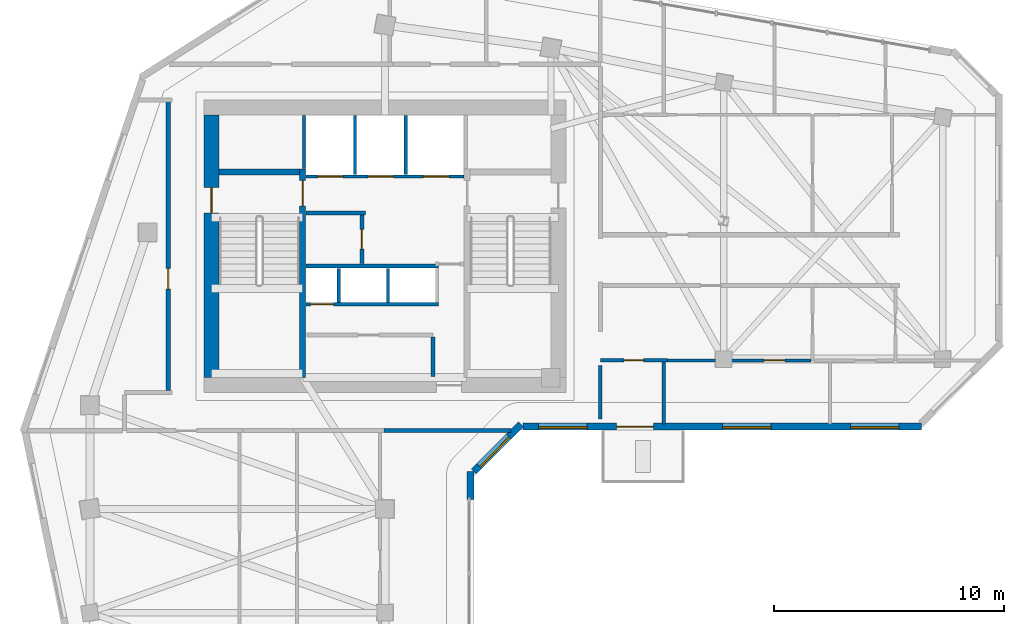
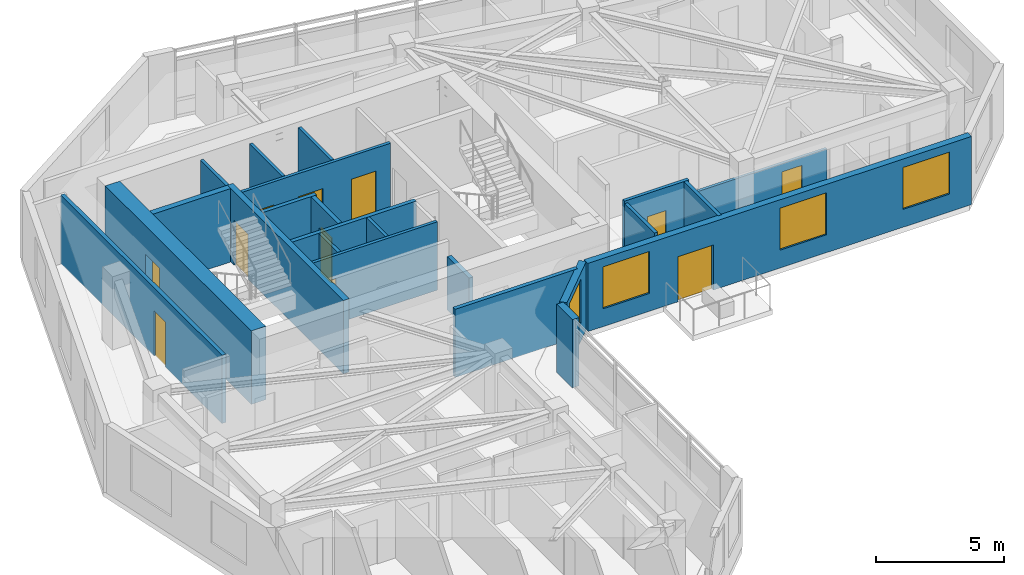
# One storey, part 6 of 11: 23 walls, 11 doors, 4 windows, 15 openings.
"""IFC4 building model written with IfcOpenShell, lengths in metres."""

from ifc_helpers import new_model, si_unit, direction, frame, frame_2d, origin, place, context, subcontext, project, spatial, rectangle, extrude, source, transform, mapped, material, layer, layer_set, type_object, element, fill, save


model = new_model("IFC4")

# Units and contexts
model_context = context("Model", 3, precision=1e-05, world=origin(), true_north=direction((0.0, 1.0)))
body_context = subcontext(model_context, "Body", "Model", "MODEL_VIEW")
ifc_project = project(units=[si_unit("LENGTHUNIT", "METRE"), si_unit("AREAUNIT", "SQUARE_METRE"), si_unit("VOLUMEUNIT", "CUBIC_METRE"), si_unit("PLANEANGLEUNIT", "RADIAN"), si_unit("MASSUNIT", "GRAM", prefix="KILO")], contexts=[model_context])

# Site, building, storey
site_placement = place(None, origin())
site = spatial("IfcSite", under=ifc_project, at=site_placement, CompositionType="ELEMENT")
building_placement = place(site_placement, origin())
building = spatial("IfcBuilding", under=site, at=building_placement, Name="Calvemar Wedge Station Tower", CompositionType="ELEMENT")
storey_placement = place(building_placement, frame((0.0, 0.0, 190.39990234375)))
storey = spatial("IfcBuildingStorey", under=building, at=storey_placement, Name="L47", CompositionType="ELEMENT", Elevation=190.39990234375)

# Wall, opening, door
ifc_material_1 = material(Name="Concrete C50", Category="concrete")
ifc_layer_1 = layer(ifc_material_1, 0.260009765625)
ifc_layer_set_1 = layer_set([ifc_layer_1], Name="Concrete C50")
wall_type_1 = type_object("IfcWallType", Name="SW-CORE-260", PredefinedType="SHEAR", material=ifc_layer_set_1)
wall_1_placement = place(storey_placement, frame((20.22998046875, 34.199951171875, 0.0), z_axis=(0.0, 0.0, 1.0), x_axis=(0.0, 1.0, 0.0)))
wall_1 = element("IfcWall", 1, at=wall_1_placement, inside=storey, type_object=wall_type_1, Name="Storey L47 Core Shear Wall SPINE-W", PredefinedType="SHEAR", context=body_context, shape_type="SweptSolid", body=[
    extrude(rectangle(XDim=9.06005859375, YDim=0.260009765625, at=frame_2d((4.530029296875, 0.0))), origin(), (0.0, 0.0, 1.0), 3.5),
])
shared_shape_1 = source(origin(), body_context, "Body", "SweptSolid", [
    extrude(rectangle(XDim=1.10009765625, YDim=2.14990234375, at=frame_2d((0.550048828125, 1.074951171875))), frame((0.0, 0.14013671875, 0.0), z_axis=(0.0, -1.0, 0.0), x_axis=(1.0, 0.0, 0.0)), (0.0, 0.0, 1.0), 0.280029296875),
])
opening_1_placement = place(wall_1_placement, frame((7.449951171875, 0.0, 0.0)))
opening_1 = element("IfcOpeningElement", 2, at=opening_1_placement, cuts=wall_1, Name="Opening FD-90", PredefinedType="OPENING", context=body_context, shape_type="MappedRepresentation", body=[
    mapped(shared_shape_1, transform((0.0, 0.0, 0.0), scale=1.0)),
])
ifc_material_2 = material(Name="Galvanized fire-rated steel door leaf P-90", Category="steel")
door_type_1 = type_object("IfcDoorType", Name="DR-FD90-1100", OperationType="NOTDEFINED", PredefinedType="DOOR", material=ifc_material_2)
shared_shape_2 = source(origin(), body_context, "Body", "SweptSolid", [
    extrude(rectangle(XDim=1.10009765625, YDim=2.14990234375, at=frame_2d((0.550048828125, 1.074951171875))), frame((0.0, 0.02490234375, 0.0), z_axis=(0.0, -1.0, 0.0), x_axis=(1.0, 0.0, 0.0)), (0.0, 0.0, 1.0), 0.050048828125),
])
door_1_placement = place(opening_1_placement, origin())
door_1 = element("IfcDoor", 3, at=door_1_placement, inside=storey, type_object=door_type_1, Name="L47 FF Lobby to Stair ST-C1 Door", OperationType="SINGLE_SWING_RIGHT", OverallHeight=2.14990234375, OverallWidth=1.10009765625, PredefinedType="DOOR", context=body_context, shape_type="MappedRepresentation", body=[
    mapped(shared_shape_2, transform((0.0, 0.0, 0.0), scale=1.0)),
])
fill(opening_1, door_1)

# Wall
wall_2_placement = place(storey_placement, frame((16.60009765625, 43.1298828125, 0.0), z_axis=(0.0, 0.0, 1.0), x_axis=(1.0, 0.0, 0.0)))
element("IfcWall", 4, at=wall_2_placement, inside=storey, type_object=wall_type_1, Name="Storey L47 Core Shear Wall STC1-N", PredefinedType="SHEAR", context=body_context, shape_type="SweptSolid", body=[
    extrude(rectangle(XDim=3.5, YDim=0.260009765625, at=frame_2d((1.75, 0.0))), origin(), (0.0, 0.0, 1.0), 3.5),
])

# Wall, opening, door
ifc_material_3 = material(Name="Concrete C60", Category="concrete")
ifc_layer_2 = layer(ifc_material_3, 0.64990234375)
ifc_layer_set_2 = layer_set([ifc_layer_2], Name="Concrete C60")
wall_type_2 = type_object("IfcWallType", Name="SW-CORE-650", PredefinedType="SHEAR", material=ifc_layer_set_2)
wall_3_placement = place(storey_placement, frame((16.27490234375, 34.199951171875, 0.0), z_axis=(0.0, 0.0, 1.0), x_axis=(0.0, 1.0, 0.0)))
wall_3 = element("IfcWall", 5, at=wall_3_placement, inside=storey, type_object=wall_type_2, Name="Storey L47 Core Shear Wall W", PredefinedType="SHEAR", context=body_context, shape_type="SweptSolid", body=[
    extrude(rectangle(XDim=11.400146484375, YDim=0.64990234375, at=frame_2d((5.7001953125, 0.0))), origin(), (0.0, 0.0, 1.0), 3.5),
])
shared_shape_3 = source(origin(), body_context, "Body", "SweptSolid", [
    extrude(rectangle(XDim=1.10009765625, YDim=2.14990234375, at=frame_2d((0.550048828125, 1.074951171875))), frame((0.0, 0.3349609375, 0.0), z_axis=(0.0, -1.0, 0.0), x_axis=(1.0, 0.0, 0.0)), (0.0, 0.0, 1.0), 0.669921875),
])
opening_2_placement = place(wall_3_placement, frame((7.14990234375, 0.0, 0.0)))
opening_2 = element("IfcOpeningElement", 6, at=opening_2_placement, cuts=wall_3, Name="Opening FD-90", PredefinedType="OPENING", context=body_context, shape_type="MappedRepresentation", body=[
    mapped(shared_shape_3, transform((0.0, 0.0, 0.0), scale=1.0)),
])
door_2_placement = place(opening_2_placement, origin())
door_2 = element("IfcDoor", 7, at=door_2_placement, inside=storey, type_object=door_type_1, Name="L47 West Corridor to Exit Stair ST-C1 Door", OperationType="SINGLE_SWING_RIGHT", OverallHeight=2.14990234375, OverallWidth=1.10009765625, PredefinedType="DOOR", context=body_context, shape_type="MappedRepresentation", body=[
    mapped(shared_shape_2, transform((0.0, 0.0, 0.0), scale=1.0)),
])
fill(opening_2, door_2)

# Wall
ifc_material_4 = material(Name="Double-stud fire-rated corridor partition")
ifc_layer_3 = layer(ifc_material_4, 0.179931640625)
ifc_layer_set_3 = layer_set([ifc_layer_3], Name="Double-stud fire-rated corridor partition")
wall_type_3 = type_object("IfcWallType", Name="W-CORR-180", PredefinedType="PARTITIONING", material=ifc_layer_set_3)
wall_4_placement = place(storey_placement, frame((22.9599609375, 41.35009765625, 0.0), z_axis=(0.0, 0.0, 1.0), x_axis=(-1.0, 0.0, 0.0)))
element("IfcWall", 8, at=wall_4_placement, inside=storey, type_object=wall_type_3, Name="Storey L47 Interior Partition WL-L47-001", PredefinedType="PARTITIONING", context=body_context, shape_type="SweptSolid", body=[
    extrude(rectangle(XDim=2.580078125, YDim=0.179931640625, at=frame_2d((1.2900390625, 0.0))), origin(), (0.0, 0.0, 1.0), 3.25),
])

# Wall, opening, door
wall_5_placement = place(storey_placement, frame((22.800048828125, 41.256103515625, 0.0), z_axis=(0.0, 0.0, 1.0), x_axis=(0.0, -1.0, 0.0)))
wall_5 = element("IfcWall", 9, at=wall_5_placement, inside=storey, type_object=wall_type_3, Name="Storey L47 Interior Partition WL-L47-002", PredefinedType="PARTITIONING", context=body_context, shape_type="SweptSolid", body=[
    extrude(rectangle(XDim=2.106201171875, YDim=0.179931640625, at=frame_2d((1.05322265625, 0.0))), origin(), (0.0, 0.0, 1.0), 3.25),
])
shared_shape_4 = source(origin(), body_context, "Body", "SweptSolid", [
    extrude(rectangle(XDim=0.85009765625, YDim=2.14990234375, at=frame_2d((0.425048828125, 1.074951171875))), frame((0.0, 0.10009765625, 0.0), z_axis=(0.0, -1.0, 0.0), x_axis=(1.0, 0.0, 0.0)), (0.0, 0.0, 1.0), 0.199951171875),
])
opening_3_placement = place(wall_5_placement, frame((0.6279296875, 0.0, 0.0)))
opening_3 = element("IfcOpeningElement", 10, at=opening_3_placement, cuts=wall_5, Name="Opening FD-60S", PredefinedType="OPENING", context=body_context, shape_type="MappedRepresentation", body=[
    mapped(shared_shape_4, transform((0.0, 0.0, 0.0), scale=1.0)),
])
ifc_material_5 = material(Name="Fire-rated steel and hardwood service door EI 60", Category="steel")
door_type_2 = type_object("IfcDoorType", Name="DR-CORE-FD60-850", OperationType="NOTDEFINED", PredefinedType="DOOR", material=ifc_material_5)
shared_shape_5 = source(origin(), body_context, "Body", "SweptSolid", [
    extrude(rectangle(XDim=0.85009765625, YDim=2.14990234375, at=frame_2d((0.425048828125, 1.074951171875))), frame((0.0, 0.02490234375, 0.0), z_axis=(0.0, -1.0, 0.0), x_axis=(1.0, 0.0, 0.0)), (0.0, 0.0, 1.0), 0.050048828125),
])
door_3_placement = place(opening_3_placement, origin())
door_3 = element("IfcDoor", 11, at=door_3_placement, inside=storey, type_object=door_type_2, Name="L47 Core Electrical Switch Room Door", OperationType="SINGLE_SWING_LEFT", OverallHeight=2.14990234375, OverallWidth=0.85009765625, PredefinedType="DOOR", context=body_context, shape_type="MappedRepresentation", body=[
    mapped(shared_shape_5, transform((0.0, 0.0, 0.0), scale=1.0)),
])
fill(opening_3, door_3)

# Walls
wall_6_placement = place(storey_placement, frame((25.8798828125, 35.9560546875, 0.0), z_axis=(0.0, 0.0, 1.0), x_axis=(0.0, -1.0, 0.0)))
element("IfcWall", 12, at=wall_6_placement, inside=storey, type_object=wall_type_3, Name="Storey L47 Interior Partition WL-L47-005", PredefinedType="PARTITIONING", context=body_context, shape_type="SweptSolid", body=[
    extrude(rectangle(XDim=1.7060546875, YDim=0.179931640625, at=frame_2d((0.85302734375, 0.0))), origin(), (0.0, 0.0, 1.0), 2.5419921875),
])
wall_7_placement = place(storey_placement, frame((29.26513671875, 31.89990234375, 0.0), z_axis=(0.0, 0.0, 1.0), x_axis=(-1.0, 0.0, 0.0)))
element("IfcWall", 13, at=wall_7_placement, inside=storey, type_object=wall_type_3, Name="Storey L47 Interior Partition WL-L47-009", PredefinedType="PARTITIONING", context=body_context, shape_type="SweptSolid", body=[
    extrude(rectangle(XDim=5.51220703125, YDim=0.179931640625, at=frame_2d((2.756103515625, 0.0))), origin(), (0.0, 0.0, 1.0), 3.25),
])

# Wall, opening, door
wall_8_placement = place(storey_placement, frame((14.39990234375, 33.64404296875, 0.0), z_axis=(0.0, 0.0, 1.0), x_axis=(0.0, 1.0, 0.0)))
wall_8 = element("IfcWall", 14, at=wall_8_placement, inside=storey, type_object=wall_type_3, Name="Storey L47 Interior Partition WL-L47-012", PredefinedType="PARTITIONING", context=body_context, shape_type="SweptSolid", body=[
    extrude(rectangle(XDim=12.60595703125, YDim=0.179931640625, at=frame_2d((6.302978515625, 0.0))), origin(), (0.0, 0.0, 1.0), 3.25),
])
shared_shape_6 = source(origin(), body_context, "Body", "SweptSolid", [
    extrude(rectangle(XDim=0.89990234375, YDim=2.14990234375, at=frame_2d((0.449951171875, 1.074951171875))), frame((0.0, 0.10009765625, 0.0), z_axis=(0.0, -1.0, 0.0), x_axis=(1.0, 0.0, 0.0)), (0.0, 0.0, 1.0), 0.199951171875),
])
opening_4_placement = place(wall_8_placement, frame((4.399169921875, 0.0, 0.0)))
opening_4 = element("IfcOpeningElement", 15, at=opening_4_placement, cuts=wall_8, Name="Opening D-01", PredefinedType="OPENING", context=body_context, shape_type="MappedRepresentation", body=[
    mapped(shared_shape_6, transform((0.0, 0.0, 0.0), scale=1.0)),
])
ifc_material_6 = material(Name="Architectural hardwood acoustic swing door", Category="wood")
door_type_3 = type_object("IfcDoorType", Name="DR-INT-900", OperationType="NOTDEFINED", PredefinedType="DOOR", material=ifc_material_6)
shared_shape_7 = source(origin(), body_context, "Body", "SweptSolid", [
    extrude(rectangle(XDim=0.89990234375, YDim=2.14990234375, at=frame_2d((0.449951171875, 1.074951171875))), frame((0.0, 0.02490234375, 0.0), z_axis=(0.0, -1.0, 0.0), x_axis=(1.0, 0.0, 0.0)), (0.0, 0.0, 1.0), 0.050048828125),
])
door_4_placement = place(opening_4_placement, origin())
door_4 = element("IfcDoor", 16, at=door_4_placement, inside=storey, type_object=door_type_3, Name="L47 Resident Reading Lounge Door", OperationType="SINGLE_SWING_RIGHT", OverallHeight=2.14990234375, OverallWidth=0.89990234375, PredefinedType="DOOR", context=body_context, shape_type="MappedRepresentation", body=[
    mapped(shared_shape_7, transform((0.0, 0.0, 0.0), scale=1.0)),
])
fill(opening_4, door_4)

# Wall
ifc_material_7 = material(Name="Precast concrete C45", Category="concrete")
ifc_layer_4 = layer(ifc_material_7, 0.300048828125)
ifc_layer_set_4 = layer_set([ifc_layer_4], Name="Precast concrete C45")
wall_type_4 = type_object("IfcWallType", Name="W-EXT-GFRC-300", PredefinedType="SOLIDWALL", material=ifc_layer_set_4)
wall_9_placement = place(storey_placement, frame((27.513916015625, 28.90869140625, 0.0), z_axis=(0.0, 0.0, 1.0), x_axis=(0.0, 1.0, 0.0)))
element("IfcWall", 17, at=wall_9_placement, inside=storey, type_object=wall_type_4, Name="Storey L47 Bronze GFRC Corner Pier 4B", PredefinedType="SOLIDWALL", context=body_context, shape_type="SweptSolid", body=[
    extrude(rectangle(XDim=1.227294921875, YDim=0.300048828125, at=frame_2d((0.61376953125, 0.0))), origin(), (0.0, 0.0, 1.0), 3.25),
])

# Wall, opening, window
wall_10_placement = place(storey_placement, frame((27.652099609375, 30.1240234375, 0.0), z_axis=(0.0, 0.0, 1.0), x_axis=(0.707064797706, 0.707148762175, 0.0)))
wall_10 = element("IfcWall", 18, at=wall_10_placement, inside=storey, type_object=wall_type_4, Name="Storey L47 Bronze GFRC Exterior Wall 5", PredefinedType="SOLIDWALL", context=body_context, shape_type="SweptSolid", body=[
    extrude(rectangle(XDim=2.90771484375, YDim=0.300048828125, at=frame_2d((1.453857421875, 0.0))), origin(), (0.0, 0.0, 1.0), 3.25),
])
shared_shape_8 = source(origin(), body_context, "Body", "SweptSolid", [
    extrude(rectangle(XDim=1.800048828125, YDim=2.10009765625, at=frame_2d((0.89990234375, 1.050048828125))), frame((0.0, 0.16015625, 0.0), z_axis=(0.0, -1.0, 0.0), x_axis=(1.0, 0.0, 0.0)), (0.0, 0.0, 1.0), 0.320068359375),
])
opening_5_placement = place(wall_10_placement, frame((0.347900390625, 0.0, 0.85009765625)))
opening_5 = element("IfcOpeningElement", 19, at=opening_5_placement, cuts=wall_10, Name="Opening W2", PredefinedType="OPENING", context=body_context, shape_type="MappedRepresentation", body=[
    mapped(shared_shape_8, transform((0.0, 0.0, 0.0), scale=1.0)),
])
ifc_material_8 = material(Name="Low-E laminated insulated glass", Category="glass")
window_type_1 = type_object("IfcWindowType", Name="WIN-EXT-2", PartitioningType="SINGLE_PANEL", PredefinedType="WINDOW", material=ifc_material_8)
shared_shape_9 = source(origin(), body_context, "Body", "SweptSolid", [
    extrude(rectangle(XDim=1.800048828125, YDim=2.10009765625, at=frame_2d((0.89990234375, 1.050048828125))), frame((0.0, -0.014892578125, 0.0), z_axis=(0.0, -1.0, 0.0), x_axis=(1.0, 0.0, 0.0)), (0.0, 0.0, 1.0), 0.06005859375),
])
window_1_placement = place(opening_5_placement, origin())
window_1 = element("IfcWindow", 20, at=window_1_placement, inside=storey, type_object=window_type_1, Name="Storey L47 Recessed Window 5.1", OverallHeight=2.10009765625, OverallWidth=1.800048828125, PartitioningType="SINGLE_PANEL", PredefinedType="WINDOW", context=body_context, shape_type="MappedRepresentation", body=[
    mapped(shared_shape_9, transform((0.0, 0.0, 0.0), scale=1.0)),
])
fill(opening_5, window_1)

# Wall, openings, windows, door
wall_11_placement = place(storey_placement, frame((29.797119140625, 32.073974609375, 0.0), z_axis=(0.0, 0.0, 1.0), x_axis=(1.0, 0.0, 0.0)))
wall_11 = element("IfcWall", 21, at=wall_11_placement, inside=storey, type_object=wall_type_4, Name="Storey L47 Bronze GFRC Exterior Wall 6", PredefinedType="SOLIDWALL", context=body_context, shape_type="SweptSolid", body=[
    extrude(rectangle(XDim=17.290771484375, YDim=0.300048828125, at=frame_2d((8.6455078125, 0.0))), origin(), (0.0, 0.0, 1.0), 3.25),
])
shared_shape_10 = source(origin(), body_context, "Body", "SweptSolid", [
    extrude(rectangle(XDim=1.60009765625, YDim=2.14990234375, at=frame_2d((0.800048828125, 1.074951171875))), frame((0.0, 0.16015625, 0.0), z_axis=(0.0, -1.0, 0.0), x_axis=(1.0, 0.0, 0.0)), (0.0, 0.0, 1.0), 0.320068359375),
])
opening_6_placement = place(wall_11_placement, frame((4.052978515625, 0.0, 0.0)))
opening_6 = element("IfcOpeningElement", 22, at=opening_6_placement, cuts=wall_11, Name="Opening DT1", PredefinedType="OPENING", context=body_context, shape_type="MappedRepresentation", body=[
    mapped(shared_shape_10, transform((0.0, 0.0, 0.0), scale=1.0)),
])
shared_shape_11 = source(origin(), body_context, "Body", "SweptSolid", [
    extrude(rectangle(XDim=2.10009765625, YDim=2.0, at=frame_2d((1.050048828125, 1.0))), frame((0.0, 0.16015625, 0.0), z_axis=(0.0, -1.0, 0.0), x_axis=(1.0, 0.0, 0.0)), (0.0, 0.0, 1.0), 0.320068359375),
])
opening_7_placement = place(wall_11_placement, frame((0.676025390625, 0.0, 0.85009765625)))
opening_7 = element("IfcOpeningElement", 23, at=opening_7_placement, cuts=wall_11, Name="Opening W4", PredefinedType="OPENING", context=body_context, shape_type="MappedRepresentation", body=[
    mapped(shared_shape_11, transform((0.0, 0.0, 0.0), scale=1.0)),
])
opening_8_placement = place(wall_11_placement, frame((8.660888671875, 0.0, 0.85009765625)))
opening_8 = element("IfcOpeningElement", 24, at=opening_8_placement, cuts=wall_11, Name="Opening W4", PredefinedType="OPENING", context=body_context, shape_type="MappedRepresentation", body=[
    mapped(shared_shape_11, transform((0.0, 0.0, 0.0), scale=1.0)),
])
opening_9_placement = place(wall_11_placement, frame((14.205078125, 0.0, 0.85009765625)))
opening_9 = element("IfcOpeningElement", 25, at=opening_9_placement, cuts=wall_11, Name="Opening W4", PredefinedType="OPENING", context=body_context, shape_type="MappedRepresentation", body=[
    mapped(shared_shape_11, transform((0.0, 0.0, 0.0), scale=1.0)),
])
window_type_2 = type_object("IfcWindowType", Name="WIN-EXT-4", PartitioningType="SINGLE_PANEL", PredefinedType="WINDOW", material=ifc_material_8)
shared_shape_12 = source(origin(), body_context, "Body", "SweptSolid", [
    extrude(rectangle(XDim=2.10009765625, YDim=2.0, at=frame_2d((1.050048828125, 1.0))), frame((0.0, -0.014892578125, 0.0), z_axis=(0.0, -1.0, 0.0), x_axis=(1.0, 0.0, 0.0)), (0.0, 0.0, 1.0), 0.06005859375),
])
window_2_placement = place(opening_7_placement, origin())
window_2 = element("IfcWindow", 26, at=window_2_placement, inside=storey, type_object=window_type_2, Name="Storey L47 Recessed Window 6.1", OverallHeight=2.0, OverallWidth=2.10009765625, PartitioningType="SINGLE_PANEL", PredefinedType="WINDOW", context=body_context, shape_type="MappedRepresentation", body=[
    mapped(shared_shape_12, transform((0.0, 0.0, 0.0), scale=1.0)),
])
fill(opening_7, window_2)
window_3_placement = place(opening_8_placement, origin())
window_3 = element("IfcWindow", 27, at=window_3_placement, inside=storey, type_object=window_type_2, Name="Storey L47 Recessed Window 6.2", OverallHeight=2.0, OverallWidth=2.10009765625, PartitioningType="SINGLE_PANEL", PredefinedType="WINDOW", context=body_context, shape_type="MappedRepresentation", body=[
    mapped(shared_shape_12, transform((0.0, 0.0, 0.0), scale=1.0)),
])
fill(opening_8, window_3)
window_4_placement = place(opening_9_placement, origin())
window_4 = element("IfcWindow", 28, at=window_4_placement, inside=storey, type_object=window_type_2, Name="Storey L47 Recessed Window 6.3", OverallHeight=2.0, OverallWidth=2.10009765625, PartitioningType="SINGLE_PANEL", PredefinedType="WINDOW", context=body_context, shape_type="MappedRepresentation", body=[
    mapped(shared_shape_12, transform((0.0, 0.0, 0.0), scale=1.0)),
])
fill(opening_9, window_4)
ifc_material_9 = material(Name="Anodised aluminium 6063-T6", Category="aluminium")
door_type_4 = type_object("IfcDoorType", Name="DR-TERR-1600", OperationType="DOUBLE_DOOR_SLIDING", PredefinedType="DOOR", material=ifc_material_9)
shared_shape_13 = source(origin(), body_context, "Body", "SweptSolid", [
    extrude(rectangle(XDim=1.60009765625, YDim=2.14990234375, at=frame_2d((0.800048828125, 1.074951171875))), frame((0.0, 0.02490234375, 0.0), z_axis=(0.0, -1.0, 0.0), x_axis=(1.0, 0.0, 0.0)), (0.0, 0.0, 1.0), 0.050048828125),
])
door_5_placement = place(opening_6_placement, origin())
door_5 = element("IfcDoor", 29, at=door_5_placement, inside=storey, type_object=door_type_4, Name="Storey L47 Spiral Terrace Door", OperationType="DOUBLE_DOOR_SLIDING", OverallHeight=2.14990234375, OverallWidth=1.60009765625, PredefinedType="DOOR", context=body_context, shape_type="MappedRepresentation", body=[
    mapped(shared_shape_13, transform((0.0, 0.0, 0.0), scale=1.0)),
])
fill(opening_6, door_5)

# Wall, openings, doors
ifc_material_10 = material(Name="Reinforced concrete blockwork lift shaft wall", Category="masonry")
ifc_layer_5 = layer(ifc_material_10, 0.139892578125)
ifc_layer_set_5 = layer_set([ifc_layer_5], Name="Reinforced concrete blockwork lift shaft wall")
wall_type_5 = type_object("IfcWallType", Name="W-LIFT-160", PredefinedType="SOLIDWALL", material=ifc_layer_set_5)
wall_12_placement = place(storey_placement, frame((20.3701171875, 42.929931640625, 0.0), z_axis=(0.0, 0.0, 1.0), x_axis=(1.0, 0.0, 0.0)))
wall_12 = element("IfcWall", 30, at=wall_12_placement, inside=storey, type_object=wall_type_5, Name="Storey L47 Firefighting and Service Lift Shaft Front Wall", PredefinedType="SOLIDWALL", context=body_context, shape_type="SweptSolid", body=[
    extrude(rectangle(XDim=6.85986328125, YDim=0.139892578125, at=frame_2d((3.429931640625, 0.0))), origin(), (0.0, 0.0, 1.0), 3.25),
])
shared_shape_14 = source(origin(), body_context, "Body", "SweptSolid", [
    extrude(rectangle(XDim=1.10009765625, YDim=2.14990234375, at=frame_2d((0.550048828125, 1.074951171875))), frame((0.0, 0.080078125, 0.0), z_axis=(0.0, -1.0, 0.0), x_axis=(1.0, 0.0, 0.0)), (0.0, 0.0, 1.0), 0.159912109375),
])
opening_10_placement = place(wall_12_placement, frame((0.5, 0.0, 0.0)))
opening_10 = element("IfcOpeningElement", 31, at=opening_10_placement, cuts=wall_12, Name="Opening LD-FF", PredefinedType="OPENING", context=body_context, shape_type="MappedRepresentation", body=[
    mapped(shared_shape_14, transform((0.0, 0.0, 0.0), scale=1.0)),
])
opening_11_placement = place(wall_12_placement, frame((2.699951171875, 0.0, 0.0)))
opening_11 = element("IfcOpeningElement", 32, at=opening_11_placement, cuts=wall_12, Name="Opening LD-FF", PredefinedType="OPENING", context=body_context, shape_type="MappedRepresentation", body=[
    mapped(shared_shape_14, transform((0.0, 0.0, 0.0), scale=1.0)),
])
opening_12_placement = place(wall_12_placement, frame((5.10009765625, 0.0, 0.0)))
opening_12 = element("IfcOpeningElement", 33, at=opening_12_placement, cuts=wall_12, Name="Opening LD-STN", PredefinedType="OPENING", context=body_context, shape_type="MappedRepresentation", body=[
    mapped(shared_shape_14, transform((0.0, 0.0, 0.0), scale=1.0)),
])
ifc_material_11 = material(Name="Stainless steel firefighting lift sliding landing door", Category="steel")
door_type_5 = type_object("IfcDoorType", Name="DR-LD-FF-1100", OperationType="SLIDING_TO_LEFT", PredefinedType="DOOR", material=ifc_material_11)
shared_shape_15 = source(origin(), body_context, "Body", "SweptSolid", [
    extrude(rectangle(XDim=1.10009765625, YDim=2.14990234375, at=frame_2d((0.550048828125, 1.074951171875))), frame((0.0, 0.02490234375, 0.0), z_axis=(0.0, -1.0, 0.0), x_axis=(1.0, 0.0, 0.0)), (0.0, 0.0, 1.0), 0.050048828125),
])
door_6_placement = place(opening_10_placement, origin())
door_6 = element("IfcDoor", 34, at=door_6_placement, inside=storey, type_object=door_type_5, Name="L47 Lift FF-01 Sliding Landing Door", OperationType="SLIDING_TO_LEFT", OverallHeight=2.14990234375, OverallWidth=1.10009765625, PredefinedType="DOOR", context=body_context, shape_type="MappedRepresentation", body=[
    mapped(shared_shape_15, transform((0.0, 0.0, 0.0), scale=1.0)),
])
fill(opening_10, door_6)
door_7_placement = place(opening_11_placement, origin())
door_7 = element("IfcDoor", 35, at=door_7_placement, inside=storey, type_object=door_type_5, Name="L47 Lift FF-02 Sliding Landing Door", OperationType="SLIDING_TO_RIGHT", OverallHeight=2.14990234375, OverallWidth=1.10009765625, PredefinedType="DOOR", context=body_context, shape_type="MappedRepresentation", body=[
    mapped(shared_shape_15, transform((0.0, 0.0, 0.0), scale=1.0)),
])
fill(opening_11, door_7)
ifc_material_12 = material(Name="Stainless steel transit lift sliding landing door", Category="steel")
door_type_6 = type_object("IfcDoorType", Name="DR-LD-PAX-1100", OperationType="SLIDING_TO_LEFT", PredefinedType="DOOR", material=ifc_material_12)
shared_shape_16 = source(origin(), body_context, "Body", "SweptSolid", [
    extrude(rectangle(XDim=1.10009765625, YDim=2.14990234375, at=frame_2d((0.550048828125, 1.074951171875))), frame((0.0, 0.02490234375, 0.0), z_axis=(0.0, -1.0, 0.0), x_axis=(1.0, 0.0, 0.0)), (0.0, 0.0, 1.0), 0.050048828125),
])
door_8_placement = place(opening_12_placement, origin())
door_8 = element("IfcDoor", 36, at=door_8_placement, inside=storey, type_object=door_type_6, Name="L47 Lift SV-01 Sliding Landing Door", OperationType="SLIDING_TO_LEFT", OverallHeight=2.14990234375, OverallWidth=1.10009765625, PredefinedType="DOOR", context=body_context, shape_type="MappedRepresentation", body=[
    mapped(shared_shape_16, transform((0.0, 0.0, 0.0), scale=1.0)),
])
fill(opening_12, door_8)

# Walls
wall_13_placement = place(storey_placement, frame((20.2900390625, 43.280029296875, 0.0), z_axis=(0.0, 0.0, 1.0), x_axis=(0.0, 1.0, 0.0)))
element("IfcWall", 37, at=wall_13_placement, inside=storey, type_object=wall_type_5, Name="Storey L47 Firefighting Lift Shaft Enclosure Wall W", PredefinedType="SOLIDWALL", context=body_context, shape_type="SweptSolid", body=[
    extrude(rectangle(XDim=2.300048828125, YDim=0.139892578125, at=frame_2d((1.14990234375, 0.0))), origin(), (0.0, 0.0, 1.0), 3.25),
])
for number, where, z_axis, x_axis, name in (
    (38, (22.5, 43.02001953125, 0.0), (0.0, 0.0, 1.0), (0.0, 1.0, 0.0), "Storey L47 Firefighting Lift Shaft Enclosure Wall D1"),
    (39, (24.699951171875, 43.02001953125, 0.0), (0.0, 0.0, 1.0), (0.0, 1.0, 0.0), "Storey L47 Firefighting Lift Shaft Enclosure Wall D2"),
):
    element("IfcWall", number, at=place(storey_placement, frame(where, z_axis=z_axis, x_axis=x_axis)), inside=storey, type_object=wall_type_5, Name=name, PredefinedType="SOLIDWALL", context=body_context, shape_type="SweptSolid", body=[
        extrude(rectangle(XDim=2.56005859375, YDim=0.139892578125, at=frame_2d((1.280029296875, 0.0))), origin(), (0.0, 0.0, 1.0), 3.25),
    ])

# Wall, opening, door
wall_14_placement = place(storey_placement, frame((20.3798828125, 37.3798828125, 0.0), z_axis=(0.0, 0.0, 1.0), x_axis=(1.0, 0.0, 0.0)))
wall_14 = element("IfcWall", 40, at=wall_14_placement, inside=storey, type_object=wall_type_5, Name="Storey L47 Upper Passenger Lift Bank Front Wall", PredefinedType="SOLIDWALL", context=body_context, shape_type="SweptSolid", body=[
    extrude(rectangle(XDim=5.75, YDim=0.139892578125, at=frame_2d((2.875, 0.0))), origin(), (0.0, 0.0, 1.0), 3.25),
])
shared_shape_17 = source(origin(), body_context, "Body", "SweptSolid", [
    extrude(rectangle(XDim=1.0, YDim=2.14990234375, at=frame_2d((0.5, 1.074951171875))), frame((0.0, 0.080078125, 0.0), z_axis=(0.0, -1.0, 0.0), x_axis=(1.0, 0.0, 0.0)), (0.0, 0.0, 1.0), 0.159912109375),
])
opening_13_placement = place(wall_14_placement, frame((0.18994140625, 0.0, 0.0)))
opening_13 = element("IfcOpeningElement", 41, at=opening_13_placement, cuts=wall_14, Name="Opening LD-PAX", PredefinedType="OPENING", context=body_context, shape_type="MappedRepresentation", body=[
    mapped(shared_shape_17, transform((0.0, 0.0, 0.0), scale=1.0)),
])
ifc_material_13 = material(Name="Anodised bronze passenger lift sliding landing door")
door_type_7 = type_object("IfcDoorType", Name="DR-LD-PAX-1000", OperationType="SLIDING_TO_LEFT", PredefinedType="DOOR", material=ifc_material_13)
shared_shape_18 = source(origin(), body_context, "Body", "SweptSolid", [
    extrude(rectangle(XDim=1.0, YDim=2.14990234375, at=frame_2d((0.5, 1.074951171875))), frame((0.0, 0.02490234375, 0.0), z_axis=(0.0, -1.0, 0.0), x_axis=(1.0, 0.0, 0.0)), (0.0, 0.0, 1.0), 0.050048828125),
])
door_9_placement = place(opening_13_placement, origin())
door_9 = element("IfcDoor", 42, at=door_9_placement, inside=storey, type_object=door_type_7, Name="L47 Lift RH-01 Sliding Landing Door", OperationType="SLIDING_TO_LEFT", OverallHeight=2.14990234375, OverallWidth=1.0, PredefinedType="DOOR", context=body_context, shape_type="MappedRepresentation", body=[
    mapped(shared_shape_18, transform((0.0, 0.0, 0.0), scale=1.0)),
])
fill(opening_13, door_9)

# Walls
for number, where, z_axis, x_axis, name in (
    (43, (21.794921875, 37.4599609375, 0.0), (0.0, 0.0, 1.0), (0.0, 1.0, 0.0), "Storey L47 Upper Passenger Lift Shaft Wall D1"),
    (44, (23.93505859375, 37.4599609375, 0.0), (0.0, 0.0, 1.0), (0.0, 1.0, 0.0), "Storey L47 Upper Passenger Lift Shaft Wall D2"),
):
    element("IfcWall", number, at=place(storey_placement, frame(where, z_axis=z_axis, x_axis=x_axis)), inside=storey, type_object=wall_type_5, Name=name, PredefinedType="SOLIDWALL", context=body_context, shape_type="SweptSolid", body=[
        extrude(rectangle(XDim=1.47998046875, YDim=0.139892578125, at=frame_2d((0.739990234375, 0.0))), origin(), (0.0, 0.0, 1.0), 3.25),
    ])

# Wall, opening, door
ifc_material_14 = material(Name="Insulated acoustic gypsum stud partition")
ifc_layer_6 = layer(ifc_material_14, 0.125)
ifc_layer_set_6 = layer_set([ifc_layer_6], Name="Insulated acoustic gypsum stud partition")
wall_type_6 = type_object("IfcWallType", Name="W-PART-125", PredefinedType="PARTITIONING", material=ifc_layer_set_6)
wall_15_placement = place(storey_placement, frame((42.283447265625, 34.949951171875, 0.0), z_axis=(0.0, 0.0, 1.0), x_axis=(-1.0, 0.0, 0.0)))
wall_15 = element("IfcWall", 45, at=wall_15_placement, inside=storey, type_object=wall_type_6, Name="Storey L47 Interior Partition WL-L47-045", PredefinedType="PARTITIONING", context=body_context, shape_type="SweptSolid", body=[
    extrude(rectangle(XDim=6.221435546875, YDim=0.125, at=frame_2d((3.11083984375, 0.0))), origin(), (0.0, 0.0, 1.0), 2.5419921875),
])
shared_shape_19 = source(origin(), body_context, "Body", "SweptSolid", [
    extrude(rectangle(XDim=0.89990234375, YDim=2.14990234375, at=frame_2d((0.449951171875, 1.074951171875))), frame((0.0, 0.072509765625, 0.0), z_axis=(0.0, -1.0, 0.0), x_axis=(1.0, 0.0, 0.0)), (0.0, 0.0, 1.0), 0.14501953125),
])
opening_14_placement = place(wall_15_placement, frame((1.134521484375, 0.0, 0.0)))
opening_14 = element("IfcOpeningElement", 46, at=opening_14_placement, cuts=wall_15, Name="Opening D-01", PredefinedType="OPENING", context=body_context, shape_type="MappedRepresentation", body=[
    mapped(shared_shape_19, transform((0.0, 0.0, 0.0), scale=1.0)),
])
door_10_placement = place(opening_14_placement, origin())
door_10 = element("IfcDoor", 47, at=door_10_placement, inside=storey, type_object=door_type_3, Name="L47 Master Bedroom Door", OperationType="SINGLE_SWING_LEFT", OverallHeight=2.14990234375, OverallWidth=0.89990234375, PredefinedType="DOOR", context=body_context, shape_type="MappedRepresentation", body=[
    mapped(shared_shape_7, transform((0.0, 0.0, 0.0), scale=1.0)),
])
fill(opening_14, door_10)

# Wall
ifc_material_15 = material(Name="Concrete blockwork and fireboard shaft wall", Category="masonry")
ifc_layer_7 = layer(ifc_material_15, 0.199951171875)
ifc_layer_set_7 = layer_set([ifc_layer_7], Name="Concrete blockwork and fireboard shaft wall")
wall_type_7 = type_object("IfcWallType", Name="W-SHAFT-200", PredefinedType="SOLIDWALL", material=ifc_layer_set_7)
wall_16_placement = place(storey_placement, frame((20.3798828125, 39.0400390625, 0.0), z_axis=(0.0, 0.0, 1.0), x_axis=(1.0, 0.0, 0.0)))
element("IfcWall", 48, at=wall_16_placement, inside=storey, type_object=wall_type_7, Name="Storey L47 Upper Passenger Lift Bank Rear Shaft Wall", PredefinedType="SOLIDWALL", context=body_context, shape_type="SweptSolid", body=[
    extrude(rectangle(XDim=5.75, YDim=0.179931640625, at=frame_2d((2.875, 0.0))), origin(), (0.0, 0.0, 1.0), 3.25),
])

# Wall, opening, door
ifc_material_16 = material(Name="Moisture-resistant acoustic bathroom partition")
ifc_layer_8 = layer(ifc_material_16, 0.14990234375)
ifc_layer_set_8 = layer_set([ifc_layer_8], Name="Moisture-resistant acoustic bathroom partition")
wall_type_8 = type_object("IfcWallType", Name="W-WET-150", PredefinedType="PARTITIONING", material=ifc_layer_set_8)
wall_17_placement = place(storey_placement, frame((36.06005859375, 34.949951171875, 0.0), z_axis=(0.0, 0.0, 1.0), x_axis=(-1.0, 0.0, 0.0)))
wall_17 = element("IfcWall", 49, at=wall_17_placement, inside=storey, type_object=wall_type_8, Name="Storey L47 Interior Partition WL-L47-044", PredefinedType="PARTITIONING", context=body_context, shape_type="SweptSolid", body=[
    extrude(rectangle(XDim=2.91015625, YDim=0.14990234375, at=frame_2d((1.455078125, 0.0))), origin(), (0.0, 0.0, 1.0), 3.25),
])
shared_shape_20 = source(origin(), body_context, "Body", "SweptSolid", [
    extrude(rectangle(XDim=0.85009765625, YDim=2.14990234375, at=frame_2d((0.425048828125, 1.074951171875))), frame((0.0, 0.0849609375, 0.0), z_axis=(0.0, -1.0, 0.0), x_axis=(1.0, 0.0, 0.0)), (0.0, 0.0, 1.0), 0.169921875),
])
opening_15_placement = place(wall_17_placement, frame((1.030029296875, 0.0, 0.0)))
opening_15 = element("IfcOpeningElement", 50, at=opening_15_placement, cuts=wall_17, Name="Opening D-02", PredefinedType="OPENING", context=body_context, shape_type="MappedRepresentation", body=[
    mapped(shared_shape_20, transform((0.0, 0.0, 0.0), scale=1.0)),
])
ifc_material_17 = material(Name="Moisture-sealed bathroom hardwood swing door", Category="wood")
door_type_8 = type_object("IfcDoorType", Name="DR-WET-850", OperationType="NOTDEFINED", PredefinedType="DOOR", material=ifc_material_17)
shared_shape_21 = source(origin(), body_context, "Body", "SweptSolid", [
    extrude(rectangle(XDim=0.85009765625, YDim=2.14990234375, at=frame_2d((0.425048828125, 1.074951171875))), frame((0.0, 0.02490234375, 0.0), z_axis=(0.0, -1.0, 0.0), x_axis=(1.0, 0.0, 0.0)), (0.0, 0.0, 1.0), 0.050048828125),
])
door_11_placement = place(opening_15_placement, origin())
door_11 = element("IfcDoor", 51, at=door_11_placement, inside=storey, type_object=door_type_8, Name="L47 Bathroom Door", OperationType="SINGLE_SWING_RIGHT", OverallHeight=2.14990234375, OverallWidth=0.85009765625, PredefinedType="DOOR", context=body_context, shape_type="MappedRepresentation", body=[
    mapped(shared_shape_21, transform((0.0, 0.0, 0.0), scale=1.0)),
])
fill(opening_15, door_11)

# Walls
wall_18_placement = place(storey_placement, frame((35.89990234375, 34.87109375, 0.0), z_axis=(0.0, 0.0, 1.0), x_axis=(0.0, -1.0, 0.0)))
element("IfcWall", 52, at=wall_18_placement, inside=storey, type_object=wall_type_8, Name="Storey L47 Interior Partition WL-L47-048", PredefinedType="PARTITIONING", context=body_context, shape_type="SweptSolid", body=[
    extrude(rectangle(XDim=2.68212890625, YDim=0.14990234375, at=frame_2d((1.341064453125, 0.0))), origin(), (0.0, 0.0, 1.0), 3.25),
])
wall_19_placement = place(storey_placement, frame((33.14990234375, 32.408935546875, 0.0), z_axis=(0.0, 0.0, 1.0), x_axis=(0.0, 1.0, 0.0)))
element("IfcWall", 53, at=wall_19_placement, inside=storey, type_object=wall_type_8, Name="Storey L47 Bathroom Enclosure Wall WL-L47-068", PredefinedType="PARTITIONING", context=body_context, shape_type="SweptSolid", body=[
    extrude(rectangle(XDim=2.321044921875, YDim=0.14990234375, at=frame_2d((1.16064453125, 0.0))), origin(), (0.0, 0.0, 1.0), 3.25),
])

save(model, "model.ifc")
